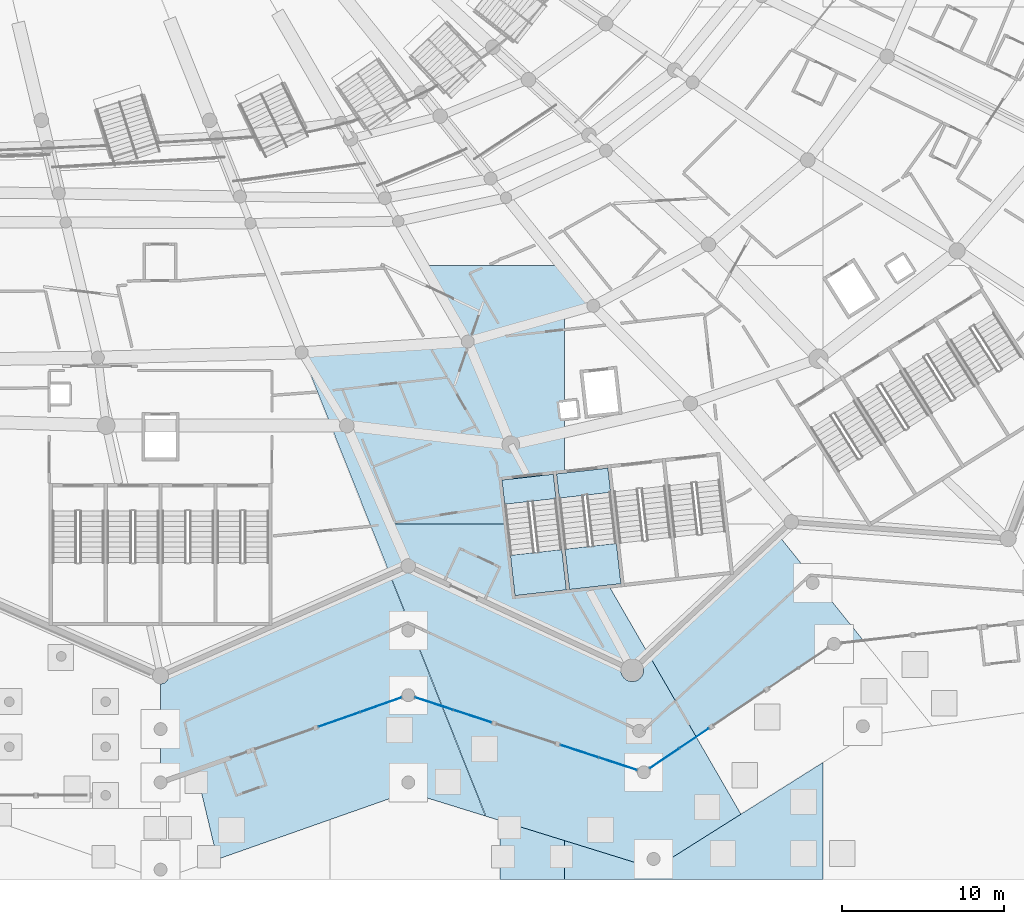
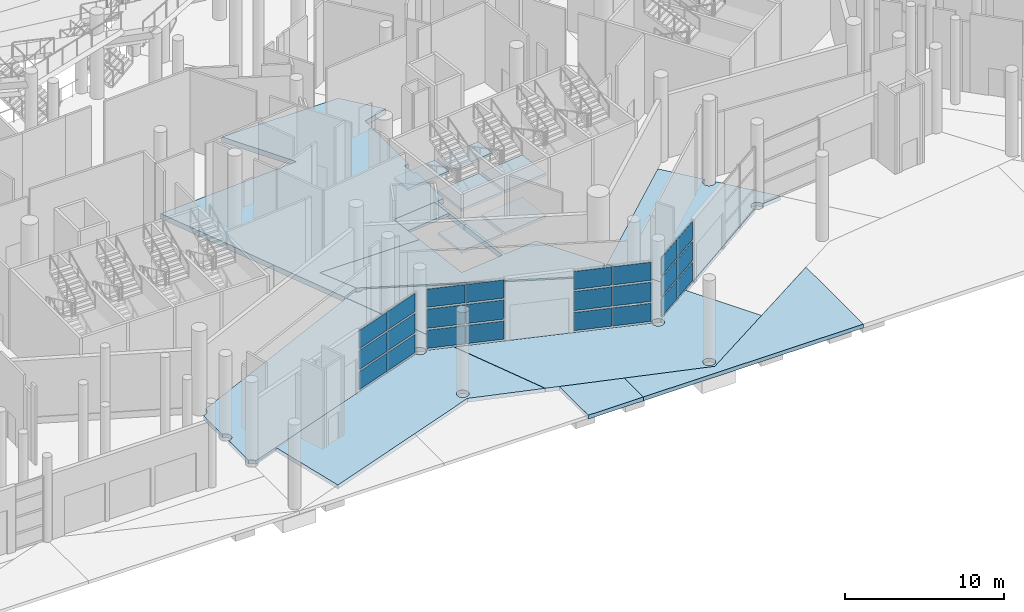
# One storey, part 78 of 255: 24 plates, 16 slabs, 6 elements without a shape of their own.
"""IFC4 building model written with IfcOpenShell, lengths in metres."""

from ifc_helpers import new_model, si_unit, direction, frame, origin, origin_2d, place, context, subcontext, project, spatial, polyline, rectangle, outline, extrude, material, layer, layer_set, type_object, element, aggregate, save


model = new_model("IFC4")

# Units and contexts
model_context = context("Model", 3, precision=1e-05, world=origin(), true_north=direction((0.0, 1.0)))
body_context = subcontext(model_context, "Body", "Model", "MODEL_VIEW")
ifc_project = project(units=[si_unit("LENGTHUNIT", "METRE"), si_unit("AREAUNIT", "SQUARE_METRE"), si_unit("VOLUMEUNIT", "CUBIC_METRE"), si_unit("PLANEANGLEUNIT", "RADIAN"), si_unit("MASSUNIT", "GRAM", prefix="KILO")], contexts=[model_context])

# Site, building, storey
site_placement = place(None, origin())
site = spatial("IfcSite", under=ifc_project, at=site_placement, CompositionType="ELEMENT")
building_placement = place(site_placement, origin())
building = spatial("IfcBuilding", under=site, at=building_placement, Name="Meseta Stadium", CompositionType="ELEMENT")
storey_placement = place(building_placement, origin())
storey = spatial("IfcBuildingStorey", under=building, at=storey_placement, Name="L00", CompositionType="ELEMENT", Elevation=0.0)

# Slabs
ifc_material_1 = material(Name="Concrete C40/50", Category="concrete")
ifc_layer_1 = layer(ifc_material_1, 0.39990234375)
ifc_layer_set_1 = layer_set([ifc_layer_1], Name="Floor slab 400")
slab_type_1 = type_object("IfcSlabType", Name="Floor slab 400", PredefinedType="FLOOR", material=ifc_layer_set_1)
slab_1_placement = place(storey_placement, frame((0.0, 0.0, -0.39990234375)))
element("IfcSlab", 1, at=slab_1_placement, inside=storey, type_object=slab_type_1, Name="Floor slab L00 sector 49 panel 03", PredefinedType="FLOOR", context=body_context, shape_type="SweptSolid", body=[
    extrude(outline(polyline([(47.7744140625, -80.0), (39.29443359375, -80.0), (42.015380859375, -84.707275390625), (31.747314453125, -85.376220703125), (37.1953125, -99.104736328125), (38.333251953125, -98.60009765625), (37.1953125, -96.0), (44.440673828125, -96.0), (44.13427734375, -93.281005859375), (47.314208984375, -92.9228515625), (47.660888671875, -96.0), (47.862060546875, -96.0), (47.5126953125, -92.900390625), (48.0, -92.845458984375), (48.0, -89.459228515625), (47.781982421875, -89.483642578125), (47.669921875, -88.489990234375), (48.0, -88.452880859375), (48.0, -83.007568359375), (49.791015625, -82.498779296875), (47.7744140625, -80.0)])), origin(), (0.0, 0.0, 1.0), 0.39990234375),
])
slab_2_placement = place(storey_placement, frame((0.0, 0.0, -0.39990234375)))
element("IfcSlab", 2, at=slab_2_placement, inside=storey, type_object=slab_type_1, Name="Floor slab L00 sector 49 panel 04", PredefinedType="FLOOR", context=body_context, shape_type="SweptSolid", body=[
    extrude(outline(polyline([(47.660888671875, -96.0), (48.1201171875, -100.077392578125), (44.9404296875, -100.435791015625), (44.440673828125, -96.0), (37.1953125, -96.0), (38.333251953125, -98.60009765625), (52.202880859375, -105.0517578125), (53.224609375, -104.099365234375), (50.72998046875, -99.783447265625), (48.319091796875, -100.05517578125), (47.862060546875, -96.0), (47.660888671875, -96.0)])), origin(), (0.0, 0.0, 1.0), 0.39990234375),
])
ifc_material_2 = material(Name="Concrete C40/50", Category="concrete")
ifc_layer_2 = layer(ifc_material_2, 0.300048828125)
ifc_layer_set_2 = layer_set([ifc_layer_2], Name="Gate court paving 300")
slab_type_2 = type_object("IfcSlabType", Name="Gate court paving 300", PredefinedType="FLOOR", material=ifc_layer_set_2)
slab_3_placement = place(storey_placement, frame((0.0, 0.0, -0.300048828125)))
element("IfcSlab", 3, at=slab_3_placement, inside=storey, type_object=slab_type_2, Name="Gate 8 court paving panel 01", PredefinedType="FLOOR", context=body_context, shape_type="SweptSolid", body=[
    extrude(outline(polyline([(43.999755859375, -114.35791015625), (43.9990234375, -118.0), (48.0, -118.0), (48.0, -115.599609375), (43.999755859375, -114.35791015625)])), origin(), (0.0, 0.0, 1.0), 0.300048828125),
])
slab_4_placement = place(storey_placement, frame((0.0, 0.0, -0.300048828125)))
element("IfcSlab", 4, at=slab_4_placement, inside=storey, type_object=slab_type_2, Name="Gate 8 court paving panel 02", PredefinedType="FLOOR", context=body_context, shape_type="SweptSolid", body=[
    extrude(outline(polyline([(48.0, -118.0), (64.0, -118.0), (64.0, -110.771728515625), (53.586669921875, -117.33349609375), (48.0, -115.599609375), (48.0, -118.0)])), origin(), (0.0, 0.0, 1.0), 0.300048828125),
])
ifc_material_3 = material(Name="Concrete C40/50", Category="concrete")
ifc_layer_3 = layer(ifc_material_3, 0.300048828125)
ifc_layer_set_3 = layer_set([ifc_layer_3], Name="Passage paving slab 300")
slab_type_3 = type_object("IfcSlabType", Name="Passage paving slab 300", PredefinedType="FLOOR", material=ifc_layer_set_3)
slab_5_placement = place(storey_placement, frame((0.0, 0.0, -0.300048828125)))
element("IfcSlab", 5, at=slab_5_placement, inside=storey, type_object=slab_type_3, Name="Covered passage paving 7 part 1 panel 02", PredefinedType="FLOOR", context=body_context, shape_type="SweptSolid", body=[
    extrude(outline(polyline([(37.98388671875, -106.8017578125), (37.95556640625, -106.733154296875), (25.19677734375, -111.226318359375), (26.514892578125, -116.76220703125), (38.333251953125, -112.60009765625), (43.118408203125, -114.085205078125), (40.418701171875, -107.28271484375), (38.714599609375, -106.724853515625), (38.6826171875, -106.8017578125), (38.61865234375, -106.88525390625), (38.53515625, -106.949462890625), (38.437744140625, -106.98974609375), (38.333251953125, -107.00341796875), (38.22900390625, -106.98974609375), (38.131591796875, -106.949462890625), (38.048095703125, -106.88525390625), (37.98388671875, -106.8017578125)]), holes=[polyline([(38.333251953125, -112.403564453125), (38.22900390625, -112.3896484375), (38.131591796875, -112.349365234375), (38.048095703125, -112.285400390625), (37.98388671875, -112.20166015625), (37.943603515625, -112.1044921875), (37.929931640625, -112.0), (37.943603515625, -111.8955078125), (37.98388671875, -111.79833984375), (38.048095703125, -111.714599609375), (38.131591796875, -111.650634765625), (38.22900390625, -111.6103515625), (38.333251953125, -111.596435546875), (38.437744140625, -111.6103515625), (38.53515625, -111.650634765625), (38.61865234375, -111.714599609375), (38.6826171875, -111.79833984375), (38.722900390625, -111.8955078125), (38.73681640625, -112.0), (38.722900390625, -112.1044921875), (38.6826171875, -112.20166015625), (38.61865234375, -112.285400390625), (38.53515625, -112.349365234375), (38.437744140625, -112.3896484375), (38.333251953125, -112.403564453125)])]), origin(), (0.0, 0.0, 1.0), 0.300048828125),
])
slab_6_placement = place(storey_placement, frame((0.0, 0.0, -0.300048828125)))
element("IfcSlab", 6, at=slab_6_placement, inside=storey, type_object=slab_type_3, Name="Covered passage paving 7 part 2 panel 01", PredefinedType="FLOOR", context=body_context, shape_type="SweptSolid", body=[
    extrude(outline(polyline([(43.142822265625, -114.093017578125), (48.0, -115.6005859375), (48.0, -115.599609375), (53.586669921875, -117.33349609375), (58.9287109375, -113.96728515625), (56.162109375, -109.18115234375), (53.247314453125, -111.148193359375), (53.264404296875, -111.170654296875), (53.3046875, -111.267822265625), (53.318603515625, -111.372314453125), (53.3046875, -111.476806640625), (53.264404296875, -111.57421875), (53.2001953125, -111.65771484375), (53.11669921875, -111.7216796875), (53.019287109375, -111.76220703125), (52.9150390625, -111.77587890625), (52.810546875, -111.76220703125), (52.71337890625, -111.7216796875), (52.629638671875, -111.65771484375), (52.565673828125, -111.57421875), (52.525390625, -111.476806640625), (52.51171875, -111.372314453125), (52.525390625, -111.267822265625), (52.53369140625, -111.24755859375), (40.443603515625, -107.290771484375), (43.142822265625, -114.093017578125)]), holes=[polyline([(53.72119140625, -117.087890625), (53.6240234375, -117.128173828125), (53.51953125, -117.141845703125), (53.415283203125, -117.128173828125), (53.31787109375, -117.087890625), (53.234375, -117.023681640625), (53.170166015625, -116.940185546875), (53.1298828125, -116.8427734375), (53.1162109375, -116.73828125), (53.1298828125, -116.634033203125), (53.170166015625, -116.53662109375), (53.234375, -116.453125), (53.31787109375, -116.388916015625), (53.415283203125, -116.3486328125), (53.51953125, -116.3349609375), (53.6240234375, -116.3486328125), (53.72119140625, -116.388916015625), (53.804931640625, -116.453125), (53.868896484375, -116.53662109375), (53.9091796875, -116.634033203125), (53.923095703125, -116.73828125), (53.9091796875, -116.8427734375), (53.868896484375, -116.940185546875), (53.804931640625, -117.023681640625), (53.72119140625, -117.087890625)])]), origin(), (0.0, 0.0, 1.0), 0.300048828125),
])

# Curtain wall, plates
ifc_material_4 = material(Name="Aluminium", Category="aluminium")
ifc_layer_4 = layer(ifc_material_4, 0.199951171875)
ifc_layer_set_4 = layer_set([ifc_layer_4], Name="Ring shopfront curtain wall")
curtain_wall_type = type_object("IfcCurtainWallType", Name="Ring shopfront curtain wall", PredefinedType="NOTDEFINED", material=ifc_layer_set_4)
curtain_wall_1_placement = place(storey_placement, origin())
curtain_wall_1 = element("IfcCurtainWall", 7, at=curtain_wall_1_placement, inside=storey, type_object=curtain_wall_type, Name="Shopfront glazing F48b", PredefinedType="NOTDEFINED")
ifc_material_5 = material(Name="Glass", Category="glass")
ifc_layer_5 = layer(ifc_material_5, 0.035888671875)
ifc_layer_set_5 = layer_set([ifc_layer_5], Name="Ring CW glass panel 36")
plate_type = type_object("IfcPlateType", Name="Ring CW glass panel 36", PredefinedType="CURTAIN_PANEL", material=ifc_layer_set_5)
plate_1_placement = place(storey_placement, frame((34.059326171875, -108.105224609375, 0.150146484375), z_axis=(0.0, 0.0, 1.0), x_axis=(0.94321953488, 0.332170000181, 0.0)))
plate_1 = element("IfcPlate", 8, at=plate_1_placement, type_object=plate_type, Name="CWR1 panel 1.1", PredefinedType="CURTAIN_PANEL", context=body_context, shape_type="SweptSolid", body=[
    extrude(rectangle(XDim=2.674072265625, YDim=0.035888671875, at=origin_2d()), origin(), (0.0, 0.0, 1.0), 1.3916015625),
])
plate_2_placement = place(storey_placement, frame((34.059326171875, -108.105224609375, 1.69189453125), z_axis=(0.0, 0.0, 1.0), x_axis=(0.94321953488, 0.332170000181, 0.0)))
plate_2 = element("IfcPlate", 9, at=plate_2_placement, type_object=plate_type, Name="CWR1 panel 1.2", PredefinedType="CURTAIN_PANEL", context=body_context, shape_type="SweptSolid", body=[
    extrude(rectangle(XDim=2.674072265625, YDim=0.035888671875, at=origin_2d()), origin(), (0.0, 0.0, 1.0), 1.466552734375),
])
plate_3_placement = place(storey_placement, frame((34.059326171875, -108.105224609375, 3.308349609375), z_axis=(0.0, 0.0, 1.0), x_axis=(0.94321953488, 0.332170000181, 0.0)))
plate_3 = element("IfcPlate", 10, at=plate_3_placement, type_object=plate_type, Name="CWR1 panel 1.3", PredefinedType="CURTAIN_PANEL", context=body_context, shape_type="SweptSolid", body=[
    extrude(rectangle(XDim=2.674072265625, YDim=0.035888671875, at=origin_2d()), origin(), (0.0, 0.0, 1.0), 1.3916015625),
])
plate_4_placement = place(storey_placement, frame((36.63818359375, -107.197021484375, 0.150146484375), z_axis=(0.0, 0.0, 1.0), x_axis=(0.94321953488, 0.332170000181, 0.0)))
plate_4 = element("IfcPlate", 11, at=plate_4_placement, type_object=plate_type, Name="CWR1 panel 2.1", PredefinedType="CURTAIN_PANEL", context=body_context, shape_type="SweptSolid", body=[
    extrude(rectangle(XDim=2.674072265625, YDim=0.035888671875, at=origin_2d()), origin(), (0.0, 0.0, 1.0), 1.3916015625),
])
plate_5_placement = place(storey_placement, frame((36.63818359375, -107.197021484375, 1.69189453125), z_axis=(0.0, 0.0, 1.0), x_axis=(0.94321953488, 0.332170000181, 0.0)))
plate_5 = element("IfcPlate", 12, at=plate_5_placement, type_object=plate_type, Name="CWR1 panel 2.2", PredefinedType="CURTAIN_PANEL", context=body_context, shape_type="SweptSolid", body=[
    extrude(rectangle(XDim=2.674072265625, YDim=0.035888671875, at=origin_2d()), origin(), (0.0, 0.0, 1.0), 1.466552734375),
])
plate_6_placement = place(storey_placement, frame((36.63818359375, -107.197021484375, 3.308349609375), z_axis=(0.0, 0.0, 1.0), x_axis=(0.94321953488, 0.332170000181, 0.0)))
plate_6 = element("IfcPlate", 13, at=plate_6_placement, type_object=plate_type, Name="CWR1 panel 2.3", PredefinedType="CURTAIN_PANEL", context=body_context, shape_type="SweptSolid", body=[
    extrude(rectangle(XDim=2.674072265625, YDim=0.035888671875, at=origin_2d()), origin(), (0.0, 0.0, 1.0), 1.3916015625),
])
aggregate(curtain_wall_1, [plate_1, plate_2, plate_3, plate_4, plate_5, plate_6])

curtain_wall_2_placement = place(storey_placement, origin())
curtain_wall_2 = element("IfcCurtainWall", 14, at=curtain_wall_2_placement, inside=storey, type_object=curtain_wall_type, Name="Shopfront glazing F49a", PredefinedType="NOTDEFINED")
plate_7_placement = place(storey_placement, frame((39.9326171875, -107.12353515625, 0.150146484375), z_axis=(0.0, 0.0, 1.0), x_axis=(0.950390663961, -0.311058814141, 0.0)))
plate_7 = element("IfcPlate", 15, at=plate_7_placement, type_object=plate_type, Name="CWR1 panel 1.1", PredefinedType="CURTAIN_PANEL", context=body_context, shape_type="SweptSolid", body=[
    extrude(rectangle(XDim=2.44580078125, YDim=0.035888671875, at=origin_2d()), origin(), (0.0, 0.0, 1.0), 1.3916015625),
])
plate_8_placement = place(storey_placement, frame((39.9326171875, -107.12353515625, 1.69189453125), z_axis=(0.0, 0.0, 1.0), x_axis=(0.950390663961, -0.311058814141, 0.0)))
plate_8 = element("IfcPlate", 16, at=plate_8_placement, type_object=plate_type, Name="CWR1 panel 1.2", PredefinedType="CURTAIN_PANEL", context=body_context, shape_type="SweptSolid", body=[
    extrude(rectangle(XDim=2.44580078125, YDim=0.035888671875, at=origin_2d()), origin(), (0.0, 0.0, 1.0), 1.466552734375),
])
plate_9_placement = place(storey_placement, frame((39.9326171875, -107.12353515625, 3.308349609375), z_axis=(0.0, 0.0, 1.0), x_axis=(0.950390663961, -0.311058814141, 0.0)))
plate_9 = element("IfcPlate", 17, at=plate_9_placement, type_object=plate_type, Name="CWR1 panel 1.3", PredefinedType="CURTAIN_PANEL", context=body_context, shape_type="SweptSolid", body=[
    extrude(rectangle(XDim=2.44580078125, YDim=0.035888671875, at=origin_2d()), origin(), (0.0, 0.0, 1.0), 1.3916015625),
])
plate_10_placement = place(storey_placement, frame((42.314208984375, -107.90283203125, 0.150146484375), z_axis=(0.0, 0.0, 1.0), x_axis=(0.950390663961, -0.311058814141, 0.0)))
plate_10 = element("IfcPlate", 18, at=plate_10_placement, type_object=plate_type, Name="CWR1 panel 2.1", PredefinedType="CURTAIN_PANEL", context=body_context, shape_type="SweptSolid", body=[
    extrude(rectangle(XDim=2.44580078125, YDim=0.035888671875, at=origin_2d()), origin(), (0.0, 0.0, 1.0), 1.3916015625),
])
plate_11_placement = place(storey_placement, frame((42.314208984375, -107.90283203125, 1.69189453125), z_axis=(0.0, 0.0, 1.0), x_axis=(0.950390663961, -0.311058814141, 0.0)))
plate_11 = element("IfcPlate", 19, at=plate_11_placement, type_object=plate_type, Name="CWR1 panel 2.2", PredefinedType="CURTAIN_PANEL", context=body_context, shape_type="SweptSolid", body=[
    extrude(rectangle(XDim=2.44580078125, YDim=0.035888671875, at=origin_2d()), origin(), (0.0, 0.0, 1.0), 1.466552734375),
])
plate_12_placement = place(storey_placement, frame((42.314208984375, -107.90283203125, 3.308349609375), z_axis=(0.0, 0.0, 1.0), x_axis=(0.950390663961, -0.311058814141, 0.0)))
plate_12 = element("IfcPlate", 20, at=plate_12_placement, type_object=plate_type, Name="CWR1 panel 2.3", PredefinedType="CURTAIN_PANEL", context=body_context, shape_type="SweptSolid", body=[
    extrude(rectangle(XDim=2.44580078125, YDim=0.035888671875, at=origin_2d()), origin(), (0.0, 0.0, 1.0), 1.3916015625),
])
aggregate(curtain_wall_2, [plate_7, plate_8, plate_9, plate_10, plate_11, plate_12])

curtain_wall_3_placement = place(storey_placement, origin())
curtain_wall_3 = element("IfcCurtainWall", 21, at=curtain_wall_3_placement, inside=storey, type_object=curtain_wall_type, Name="Shopfront glazing F49b", PredefinedType="NOTDEFINED")
plate_13_placement = place(storey_placement, frame((48.934326171875, -110.069580078125, 0.150146484375), z_axis=(0.0, 0.0, 1.0), x_axis=(0.950396493151, -0.311041003416, 0.0)))
plate_13 = element("IfcPlate", 22, at=plate_13_placement, type_object=plate_type, Name="CWR1 panel 1.1", PredefinedType="CURTAIN_PANEL", context=body_context, shape_type="SweptSolid", body=[
    extrude(rectangle(XDim=2.445556640625, YDim=0.035888671875, at=origin_2d()), origin(), (0.0, 0.0, 1.0), 1.3916015625),
])
plate_14_placement = place(storey_placement, frame((48.934326171875, -110.069580078125, 1.69189453125), z_axis=(0.0, 0.0, 1.0), x_axis=(0.950396493151, -0.311041003416, 0.0)))
plate_14 = element("IfcPlate", 23, at=plate_14_placement, type_object=plate_type, Name="CWR1 panel 1.2", PredefinedType="CURTAIN_PANEL", context=body_context, shape_type="SweptSolid", body=[
    extrude(rectangle(XDim=2.445556640625, YDim=0.035888671875, at=origin_2d()), origin(), (0.0, 0.0, 1.0), 1.466552734375),
])
plate_15_placement = place(storey_placement, frame((48.934326171875, -110.069580078125, 3.308349609375), z_axis=(0.0, 0.0, 1.0), x_axis=(0.950396493151, -0.311041003416, 0.0)))
plate_15 = element("IfcPlate", 24, at=plate_15_placement, type_object=plate_type, Name="CWR1 panel 1.3", PredefinedType="CURTAIN_PANEL", context=body_context, shape_type="SweptSolid", body=[
    extrude(rectangle(XDim=2.445556640625, YDim=0.035888671875, at=origin_2d()), origin(), (0.0, 0.0, 1.0), 1.3916015625),
])
plate_16_placement = place(storey_placement, frame((51.315673828125, -110.848876953125, 0.150146484375), z_axis=(0.0, 0.0, 1.0), x_axis=(0.950396493151, -0.311041003416, 0.0)))
plate_16 = element("IfcPlate", 25, at=plate_16_placement, type_object=plate_type, Name="CWR1 panel 2.1", PredefinedType="CURTAIN_PANEL", context=body_context, shape_type="SweptSolid", body=[
    extrude(rectangle(XDim=2.445556640625, YDim=0.035888671875, at=origin_2d()), origin(), (0.0, 0.0, 1.0), 1.3916015625),
])
plate_17_placement = place(storey_placement, frame((51.315673828125, -110.848876953125, 1.69189453125), z_axis=(0.0, 0.0, 1.0), x_axis=(0.950396493151, -0.311041003416, 0.0)))
plate_17 = element("IfcPlate", 26, at=plate_17_placement, type_object=plate_type, Name="CWR1 panel 2.2", PredefinedType="CURTAIN_PANEL", context=body_context, shape_type="SweptSolid", body=[
    extrude(rectangle(XDim=2.445556640625, YDim=0.035888671875, at=origin_2d()), origin(), (0.0, 0.0, 1.0), 1.466552734375),
])
plate_18_placement = place(storey_placement, frame((51.315673828125, -110.848876953125, 3.308349609375), z_axis=(0.0, 0.0, 1.0), x_axis=(0.950396493151, -0.311041003416, 0.0)))
plate_18 = element("IfcPlate", 27, at=plate_18_placement, type_object=plate_type, Name="CWR1 panel 2.3", PredefinedType="CURTAIN_PANEL", context=body_context, shape_type="SweptSolid", body=[
    extrude(rectangle(XDim=2.445556640625, YDim=0.035888671875, at=origin_2d()), origin(), (0.0, 0.0, 1.0), 1.3916015625),
])
aggregate(curtain_wall_3, [plate_13, plate_14, plate_15, plate_16, plate_17, plate_18])

curtain_wall_4_placement = place(storey_placement, origin())
curtain_wall_4 = element("IfcCurtainWall", 28, at=curtain_wall_4_placement, inside=storey, type_object=curtain_wall_type, Name="Shopfront glazing F50a", PredefinedType="NOTDEFINED")
plate_19_placement = place(storey_placement, frame((54.192626953125, -110.51025390625, 0.150146484375), z_axis=(0.0, 0.0, 1.0), x_axis=(0.828919178909, 0.559368389201, 0.0)))
plate_19 = element("IfcPlate", 29, at=plate_19_placement, type_object=plate_type, Name="CWR1 panel 1.1", PredefinedType="CURTAIN_PANEL", context=body_context, shape_type="SweptSolid", body=[
    extrude(rectangle(XDim=2.162353515625, YDim=0.035888671875, at=origin_2d()), origin(), (0.0, 0.0, 1.0), 1.3916015625),
])
plate_20_placement = place(storey_placement, frame((54.192626953125, -110.51025390625, 1.69189453125), z_axis=(0.0, 0.0, 1.0), x_axis=(0.828919178909, 0.559368389201, 0.0)))
plate_20 = element("IfcPlate", 30, at=plate_20_placement, type_object=plate_type, Name="CWR1 panel 1.2", PredefinedType="CURTAIN_PANEL", context=body_context, shape_type="SweptSolid", body=[
    extrude(rectangle(XDim=2.162353515625, YDim=0.035888671875, at=origin_2d()), origin(), (0.0, 0.0, 1.0), 1.466552734375),
])
plate_21_placement = place(storey_placement, frame((54.192626953125, -110.51025390625, 3.308349609375), z_axis=(0.0, 0.0, 1.0), x_axis=(0.828919178909, 0.559368389201, 0.0)))
plate_21 = element("IfcPlate", 31, at=plate_21_placement, type_object=plate_type, Name="CWR1 panel 1.3", PredefinedType="CURTAIN_PANEL", context=body_context, shape_type="SweptSolid", body=[
    extrude(rectangle(XDim=2.162353515625, YDim=0.035888671875, at=origin_2d()), origin(), (0.0, 0.0, 1.0), 1.3916015625),
])
plate_22_placement = place(storey_placement, frame((56.034912109375, -109.26708984375, 0.150146484375), z_axis=(0.0, 0.0, 1.0), x_axis=(0.828919178909, 0.559368389201, 0.0)))
plate_22 = element("IfcPlate", 32, at=plate_22_placement, type_object=plate_type, Name="CWR1 panel 2.1", PredefinedType="CURTAIN_PANEL", context=body_context, shape_type="SweptSolid", body=[
    extrude(rectangle(XDim=2.162353515625, YDim=0.035888671875, at=origin_2d()), origin(), (0.0, 0.0, 1.0), 1.3916015625),
])
plate_23_placement = place(storey_placement, frame((56.034912109375, -109.26708984375, 1.69189453125), z_axis=(0.0, 0.0, 1.0), x_axis=(0.828919178909, 0.559368389201, 0.0)))
plate_23 = element("IfcPlate", 33, at=plate_23_placement, type_object=plate_type, Name="CWR1 panel 2.2", PredefinedType="CURTAIN_PANEL", context=body_context, shape_type="SweptSolid", body=[
    extrude(rectangle(XDim=2.162353515625, YDim=0.035888671875, at=origin_2d()), origin(), (0.0, 0.0, 1.0), 1.466552734375),
])
plate_24_placement = place(storey_placement, frame((56.034912109375, -109.26708984375, 3.308349609375), z_axis=(0.0, 0.0, 1.0), x_axis=(0.828919178909, 0.559368389201, 0.0)))
plate_24 = element("IfcPlate", 34, at=plate_24_placement, type_object=plate_type, Name="CWR1 panel 2.3", PredefinedType="CURTAIN_PANEL", context=body_context, shape_type="SweptSolid", body=[
    extrude(rectangle(XDim=2.162353515625, YDim=0.035888671875, at=origin_2d()), origin(), (0.0, 0.0, 1.0), 1.3916015625),
])
aggregate(curtain_wall_4, [plate_19, plate_20, plate_21, plate_22, plate_23, plate_24])

# Slabs
ifc_material_6 = material(Name="Concrete C30/37", Category="concrete")
ifc_layer_6 = layer(ifc_material_6, 0.300048828125)
ifc_layer_set_6 = layer_set([ifc_layer_6], Name="Ring grade slab 300")
slab_type_4 = type_object("IfcSlabType", Name="Ring grade slab 300", PredefinedType="BASESLAB", material=ifc_layer_set_6)
slab_7_placement = place(storey_placement, frame((0.0, 0.0, -0.300048828125)))
element("IfcSlab", 35, at=slab_7_placement, inside=storey, type_object=slab_type_4, Name="Ring ground floor slab 7 part 1", PredefinedType="BASESLAB", context=body_context, shape_type="SweptSolid", body=[
    extrude(outline(polyline([(38.714599609375, -106.724853515625), (40.418701171875, -107.28271484375), (38.655029296875, -102.837890625), (38.61865234375, -102.88525390625), (38.53515625, -102.949462890625), (38.437744140625, -102.98974609375), (38.333251953125, -103.00341796875), (38.22900390625, -102.98974609375), (38.131591796875, -102.949462890625), (38.048095703125, -102.88525390625), (37.98388671875, -102.8017578125), (37.943603515625, -102.704345703125), (37.929931640625, -102.60009765625), (37.943603515625, -102.49560546875), (37.98388671875, -102.398193359375), (38.048095703125, -102.314697265625), (38.131591796875, -102.25048828125), (38.22900390625, -102.210205078125), (38.333251953125, -102.196533203125), (38.404296875, -102.205810546875), (37.232421875, -99.25244140625), (23.496826171875, -105.34375), (23.50439453125, -105.39990234375), (23.487060546875, -105.530517578125), (23.436767578125, -105.652099609375), (23.356689453125, -105.756591796875), (23.252197265625, -105.836669921875), (23.130615234375, -105.88720703125), (23.0, -105.904296875), (23.0, -108.29638671875), (23.1044921875, -108.310302734375), (23.20166015625, -108.3505859375), (23.285400390625, -108.414794921875), (23.349365234375, -108.498291015625), (23.3896484375, -108.595703125), (23.403564453125, -108.699951171875), (23.3896484375, -108.804443359375), (23.349365234375, -108.901611328125), (23.285400390625, -108.9853515625), (23.20166015625, -109.04931640625), (23.1044921875, -109.089599609375), (23.0, -109.103515625), (23.0, -111.596435546875), (23.1044921875, -111.6103515625), (23.20166015625, -111.650634765625), (23.285400390625, -111.714599609375), (23.349365234375, -111.79833984375), (23.377685546875, -111.866943359375), (37.95556640625, -106.733154296875), (37.943603515625, -106.704345703125), (37.929931640625, -106.60009765625), (37.943603515625, -106.49560546875), (37.98388671875, -106.398193359375), (38.048095703125, -106.314697265625), (38.131591796875, -106.25048828125), (38.22900390625, -106.210205078125), (38.333251953125, -106.196533203125), (38.437744140625, -106.210205078125), (38.53515625, -106.25048828125), (38.61865234375, -106.314697265625), (38.6826171875, -106.398193359375), (38.722900390625, -106.49560546875), (38.73681640625, -106.60009765625), (38.722900390625, -106.704345703125), (38.714599609375, -106.724853515625)])), origin(), (0.0, 0.0, 1.0), 0.300048828125),
])
slab_8_placement = place(storey_placement, frame((0.0, 0.0, -0.300048828125)))
element("IfcSlab", 36, at=slab_8_placement, inside=storey, type_object=slab_type_4, Name="Ring ground floor slab 7 part 2 panel 01", PredefinedType="BASESLAB", context=body_context, shape_type="SweptSolid", body=[
    extrude(outline(polyline([(53.2001953125, -111.087158203125), (53.247314453125, -111.148193359375), (56.162109375, -109.18115234375), (53.3017578125, -104.232666015625), (52.80908203125, -104.69189453125), (52.814208984375, -104.698486328125), (52.884765625, -104.868896484375), (52.908935546875, -105.0517578125), (52.884765625, -105.234375), (52.814208984375, -105.40478515625), (52.7021484375, -105.55078125), (52.555908203125, -105.6630859375), (52.385498046875, -105.733642578125), (52.202880859375, -105.7578125), (52.02001953125, -105.733642578125), (51.849853515625, -105.6630859375), (51.70361328125, -105.55078125), (51.59130859375, -105.40478515625), (51.520751953125, -105.234375), (51.496826171875, -105.0517578125), (51.51708984375, -104.898193359375), (38.65771484375, -98.91650390625), (38.654296875, -98.9208984375), (38.560302734375, -98.9931640625), (38.45068359375, -99.038330078125), (38.333251953125, -99.053955078125), (38.2158203125, -99.038330078125), (38.1064453125, -98.9931640625), (38.012451171875, -98.9208984375), (38.004150390625, -98.91015625), (37.25048828125, -99.244384765625), (38.427001953125, -102.208984375), (38.437744140625, -102.210205078125), (38.53515625, -102.25048828125), (38.61865234375, -102.314697265625), (38.6826171875, -102.398193359375), (38.722900390625, -102.49560546875), (38.73681640625, -102.60009765625), (38.722900390625, -102.704345703125), (38.6826171875, -102.8017578125), (38.669189453125, -102.8193359375), (40.443603515625, -107.290771484375), (52.53369140625, -111.24755859375), (52.565673828125, -111.170654296875), (52.629638671875, -111.087158203125), (52.71337890625, -111.02294921875), (52.810546875, -110.982666015625), (52.9150390625, -110.968994140625), (53.019287109375, -110.982666015625), (53.11669921875, -111.02294921875), (53.2001953125, -111.087158203125)]), holes=[polyline([(52.827880859375, -109.15771484375), (52.73046875, -109.197998046875), (52.626220703125, -109.211669921875), (52.521728515625, -109.197998046875), (52.42431640625, -109.15771484375), (52.3408203125, -109.093505859375), (52.276611328125, -109.010009765625), (52.236328125, -108.91259765625), (52.22265625, -108.80810546875), (52.236328125, -108.703857421875), (52.276611328125, -108.6064453125), (52.3408203125, -108.52294921875), (52.42431640625, -108.458740234375), (52.521728515625, -108.41845703125), (52.626220703125, -108.40478515625), (52.73046875, -108.41845703125), (52.827880859375, -108.458740234375), (52.911376953125, -108.52294921875), (52.9755859375, -108.6064453125), (53.015869140625, -108.703857421875), (53.029541015625, -108.80810546875), (53.015869140625, -108.91259765625), (52.9755859375, -109.010009765625), (52.911376953125, -109.093505859375), (52.827880859375, -109.15771484375)])]), origin(), (0.0, 0.0, 1.0), 0.300048828125),
])
slab_9_placement = place(storey_placement, frame((0.0, 0.0, -0.300048828125)))
element("IfcSlab", 37, at=slab_9_placement, inside=storey, type_object=slab_type_4, Name="Ring ground floor slab 7 part 2 panel 02", PredefinedType="BASESLAB", context=body_context, shape_type="SweptSolid", body=[
    extrude(outline(polyline([(65.08349609375, -103.3193359375), (65.09130859375, -103.37890625), (66.512451171875, -103.218017578125), (63.74658203125, -99.790771484375), (63.72216796875, -99.85009765625), (63.657958984375, -99.93359375), (63.574462890625, -99.997802734375), (63.47705078125, -100.0380859375), (63.372802734375, -100.0517578125), (63.268310546875, -100.0380859375), (63.1708984375, -99.997802734375), (63.08740234375, -99.93359375), (63.023193359375, -99.85009765625), (62.98291015625, -99.752685546875), (62.96923828125, -99.648193359375), (62.98291015625, -99.543701171875), (63.023193359375, -99.446533203125), (63.08740234375, -99.363037109375), (63.1708984375, -99.298828125), (63.268310546875, -99.258544921875), (63.3125, -99.252685546875), (61.30859375, -96.77001953125), (53.3017578125, -104.232666015625), (56.162109375, -109.18115234375), (64.361572265625, -103.64794921875), (64.344482421875, -103.62548828125), (64.30419921875, -103.5283203125), (64.290283203125, -103.423828125), (64.30419921875, -103.3193359375), (64.344482421875, -103.22216796875), (64.408447265625, -103.138427734375), (64.4921875, -103.074462890625), (64.58935546875, -103.0341796875), (64.69384765625, -103.020263671875), (64.798095703125, -103.0341796875), (64.8955078125, -103.074462890625), (64.97900390625, -103.138427734375), (65.043212890625, -103.22216796875), (65.08349609375, -103.3193359375)])), origin(), (0.0, 0.0, 1.0), 0.300048828125),
])

# Stair, slabs
ifc_material_7 = material(Name="Concrete C40/50", Category="concrete")
stair_type = type_object("IfcStairType", Name="Exit stair 4 flights 148 mm risers", PredefinedType="HALF_TURN_STAIR", material=ifc_material_7)
stair_1_placement = place(storey_placement, origin())
stair_1 = element("IfcStair", 38, at=stair_1_placement, inside=storey, type_object=stair_type, Name="ST101 L00", PredefinedType="HALF_TURN_STAIR")
ifc_material_8 = material(Name="Concrete C40/50", Category="concrete")
ifc_layer_7 = layer(ifc_material_8, 0.199951171875)
ifc_layer_set_7 = layer_set([ifc_layer_7], Name="Stair landing 200")
slab_type_5 = type_object("IfcSlabType", Name="Stair landing 200", PredefinedType="LANDING", material=ifc_layer_set_7)
slab_10_placement = place(storey_placement, frame((0.0, 0.0, 1.425048828125)))
slab_10 = element("IfcSlab", 39, at=slab_10_placement, type_object=slab_type_5, Name="ST101 L00 landing 1", PredefinedType="LANDING", context=body_context, shape_type="SweptSolid", body=[
    extrude(outline(polyline([(44.659423828125, -97.941650390625), (44.9404296875, -100.435791015625), (48.1201171875, -100.077392578125), (47.839111328125, -97.583251953125), (44.659423828125, -97.941650390625)])), origin(), (0.0, 0.0, 1.0), 0.199951171875),
])
slab_11_placement = place(storey_placement, frame((0.0, 0.0, 3.050048828125)))
slab_11 = element("IfcSlab", 40, at=slab_11_placement, type_object=slab_type_5, Name="ST101 L00 landing 2", PredefinedType="LANDING", context=body_context, shape_type="SweptSolid", body=[
    extrude(outline(polyline([(44.13427734375, -93.281005859375), (44.30322265625, -94.781494140625), (47.483154296875, -94.42333984375), (47.314208984375, -92.9228515625), (44.13427734375, -93.281005859375)])), origin(), (0.0, 0.0, 1.0), 0.199951171875),
])
slab_12_placement = place(storey_placement, frame((0.0, 0.0, 4.675048828125)))
slab_12 = element("IfcSlab", 41, at=slab_12_placement, type_object=slab_type_5, Name="ST101 L00 landing 3", PredefinedType="LANDING", context=body_context, shape_type="SweptSolid", body=[
    extrude(outline(polyline([(44.659423828125, -97.941650390625), (44.9404296875, -100.435791015625), (48.1201171875, -100.077392578125), (47.839111328125, -97.583251953125), (44.659423828125, -97.941650390625)])), origin(), (0.0, 0.0, 1.0), 0.199951171875),
])
slab_13_placement = place(storey_placement, frame((0.0, 0.0, -0.199951171875)))
slab_13 = element("IfcSlab", 42, at=slab_13_placement, type_object=slab_type_5, Name="ST101 L00 landing 4", PredefinedType="LANDING", context=body_context, shape_type="SweptSolid", body=[
    extrude(outline(polyline([(44.13427734375, -93.281005859375), (44.30322265625, -94.781494140625), (47.483154296875, -94.42333984375), (47.314208984375, -92.9228515625), (44.13427734375, -93.281005859375)])), origin(), (0.0, 0.0, 1.0), 0.199951171875),
])
aggregate(stair_1, [slab_10, slab_11, slab_12, slab_13])

stair_2_placement = place(storey_placement, origin())
stair_2 = element("IfcStair", 43, at=stair_2_placement, inside=storey, type_object=stair_type, Name="ST102 L00", PredefinedType="HALF_TURN_STAIR")
slab_14_placement = place(storey_placement, frame((0.0, 0.0, 1.425048828125)))
slab_14 = element("IfcSlab", 44, at=slab_14_placement, type_object=slab_type_5, Name="ST102 L00 landing 1", PredefinedType="LANDING", context=body_context, shape_type="SweptSolid", body=[
    extrude(outline(polyline([(48.037841796875, -97.560791015625), (48.319091796875, -100.05517578125), (51.498779296875, -99.69677734375), (51.2177734375, -97.20263671875), (48.037841796875, -97.560791015625)])), origin(), (0.0, 0.0, 1.0), 0.199951171875),
])
slab_15_placement = place(storey_placement, frame((0.0, 0.0, 3.050048828125)))
slab_15 = element("IfcSlab", 45, at=slab_15_placement, type_object=slab_type_5, Name="ST102 L00 landing 2", PredefinedType="LANDING", context=body_context, shape_type="SweptSolid", body=[
    extrude(outline(polyline([(47.512939453125, -92.900390625), (47.681884765625, -94.40087890625), (50.86181640625, -94.04248046875), (50.692626953125, -92.5419921875), (47.512939453125, -92.900390625)])), origin(), (0.0, 0.0, 1.0), 0.199951171875),
])
slab_16_placement = place(storey_placement, frame((0.0, 0.0, 4.675048828125)))
slab_16 = element("IfcSlab", 46, at=slab_16_placement, type_object=slab_type_5, Name="ST102 L00 landing 3", PredefinedType="LANDING", context=body_context, shape_type="SweptSolid", body=[
    extrude(outline(polyline([(48.037841796875, -97.560791015625), (48.319091796875, -100.05517578125), (51.498779296875, -99.69677734375), (51.2177734375, -97.20263671875), (48.037841796875, -97.560791015625)])), origin(), (0.0, 0.0, 1.0), 0.199951171875),
])
aggregate(stair_2, [slab_14, slab_15, slab_16])

save(model, "model.ifc")
